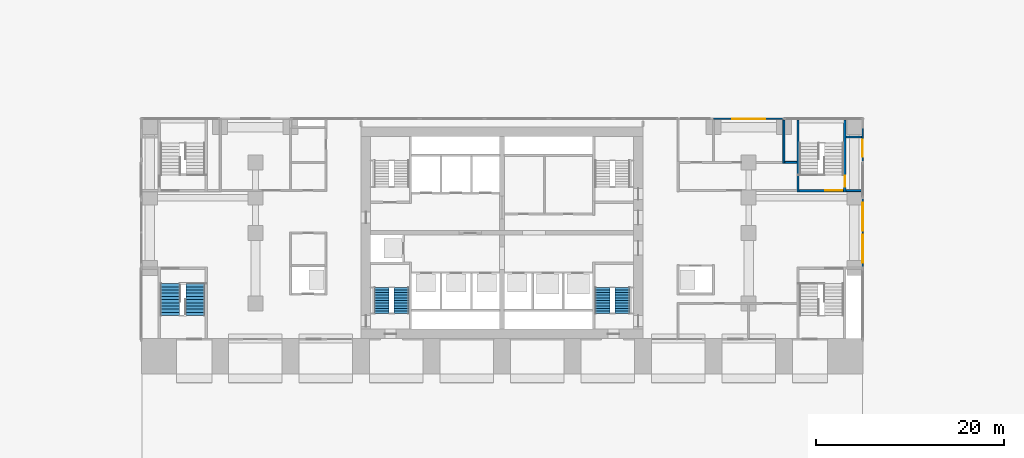
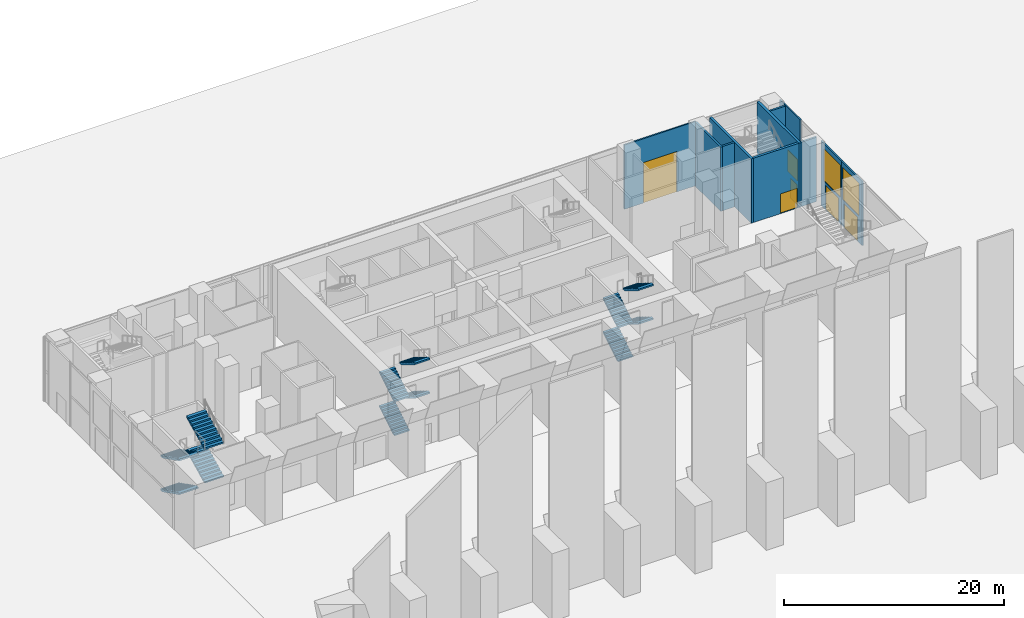
# One storey, part 15 of 21: 12 stair flights, 11 walls, 6 doors, 2 windows, 8 openings, 3 elements without a shape of their own.
"""IFC4 building model written with IfcOpenShell, lengths in metres."""

from ifc_helpers import new_model, si_unit, direction, frame, frame_2d, origin, place, context, subcontext, project, spatial, polyline, rectangle, outline, extrude, material, layer, layer_set, type_object, element, fill, aggregate, save


model = new_model("IFC4")

# Units and contexts
model_context = context("Model", 3, precision=1e-05, world=origin(), true_north=direction((0.0, 1.0)))
body_context = subcontext(model_context, "Body", "Model", "MODEL_VIEW")
ifc_project = project(units=[si_unit("LENGTHUNIT", "METRE"), si_unit("AREAUNIT", "SQUARE_METRE"), si_unit("VOLUMEUNIT", "CUBIC_METRE"), si_unit("PLANEANGLEUNIT", "RADIAN"), si_unit("MASSUNIT", "GRAM", prefix="KILO")], contexts=[model_context])

# Site, building, storey
site_placement = place(None, origin())
site = spatial("IfcSite", under=ifc_project, at=site_placement, CompositionType="ELEMENT")
building_placement = place(site_placement, origin())
building = spatial("IfcBuilding", under=site, at=building_placement, Name="Pilkhan Gate Tower", CompositionType="ELEMENT")
storey_placement = place(building_placement, origin())
storey = spatial("IfcBuildingStorey", under=building, at=storey_placement, Name="L00", CompositionType="ELEMENT", Elevation=0.0)

# Walls
ifc_material_1 = material(Name="Reinforced blockwork, 120 minute fire resisting", Category="masonry")
ifc_layer_1 = layer(ifc_material_1, 0.199951171875)
ifc_layer_set_1 = layer_set([ifc_layer_1], Name="Exit passage wall XW200")
wall_type_1 = type_object("IfcWallType", Name="Exit passage wall XW200", PredefinedType="PARTITIONING", material=ifc_layer_set_1)
for number, where, z_axis, x_axis, name in (
    (1, (111.625, 87.0, 0.0), (0.0, 0.0, 1.0), (1.0, 0.0, 0.0), "Partition L00"),
    (2, (111.625, 92.699951171875, 0.0), (0.0, 0.0, 1.0), (1.0, 0.0, 0.0), "Partition L00"),
):
    element("IfcWall", number, at=place(storey_placement, frame(where, z_axis=z_axis, x_axis=x_axis)), inside=storey, type_object=wall_type_1, Name=name, PredefinedType="PARTITIONING", context=body_context, shape_type="SweptSolid", body=[
        extrude(rectangle(XDim=1.639892578125, YDim=0.199951171875, at=frame_2d((0.81982421875, 0.0))), origin(), (0.0, 0.0, 1.0), 7.14990234375),
    ])

# Wall, openings, door, window
ifc_material_2 = material(Name="Pale anodised aluminium, clear laminated glazing", Category="aluminium")
ifc_layer_2 = layer(ifc_material_2, 0.14990234375)
ifc_layer_set_2 = layer_set([ifc_layer_2], Name="Facade infill wall IW150")
wall_type_2 = type_object("IfcWallType", Name="Facade infill wall IW150", PredefinedType="SOLIDWALL", material=ifc_layer_set_2)
wall_1_placement = place(storey_placement, frame((113.39501953125, 82.5, 0.0), z_axis=(0.0, 0.0, 1.0), x_axis=(0.0, -1.0, 0.0)))
wall_1 = element("IfcWall", 3, at=wall_1_placement, inside=storey, type_object=wall_type_2, Name="Infill wall L00 E", PredefinedType="SOLIDWALL", context=body_context, shape_type="SweptSolid", body=[
    extrude(rectangle(XDim=3.75, YDim=0.14990234375, at=frame_2d((1.875, 0.0))), origin(), (0.0, 0.0, 1.0), 7.14990234375),
])
opening_1_placement = place(wall_1_placement, frame((0.5, 0.0, 0.0)))
opening_1 = element("IfcOpeningElement", 4, at=opening_1_placement, cuts=wall_1, Name="Opening D6", PredefinedType="OPENING", context=body_context, shape_type="SweptSolid", body=[
    extrude(rectangle(XDim=2.39990234375, YDim=2.699951171875, at=frame_2d((1.199951171875, 1.35009765625))), frame((0.0, 0.0849609375, 0.0), z_axis=(0.0, -1.0, 0.0), x_axis=(1.0, 0.0, 0.0)), (0.0, 0.0, 1.0), 0.169921875),
])
opening_2_placement = place(wall_1_placement, frame((0.199951171875, 0.0, 3.0)))
opening_2 = element("IfcOpeningElement", 5, at=opening_2_placement, cuts=wall_1, Name="Opening W3", PredefinedType="OPENING", context=body_context, shape_type="SweptSolid", body=[
    extrude(rectangle(XDim=3.0, YDim=3.60009765625, at=frame_2d((1.5, 1.800048828125))), frame((0.0, 0.0849609375, 0.0), z_axis=(0.0, -1.0, 0.0), x_axis=(1.0, 0.0, 0.0)), (0.0, 0.0, 1.0), 0.169921875),
])
ifc_material_3 = material(Name="Pale anodised aluminium, clear glazing", Category="aluminium")
door_type_1 = type_object("IfcDoorType", Name="Entrance door D6 2400x2700", OperationType="DOUBLE_DOOR_SINGLE_SWING", PredefinedType="DOOR", material=ifc_material_3)
door_1_placement = place(opening_1_placement, origin())
door_1 = element("IfcDoor", 6, at=door_1_placement, inside=storey, type_object=door_type_1, Name="Registration east entrance", OperationType="DOUBLE_DOOR_SINGLE_SWING", OverallHeight=2.699951171875, OverallWidth=2.39990234375, PredefinedType="DOOR", context=body_context, shape_type="SweptSolid", body=[
    extrude(rectangle(XDim=2.39990234375, YDim=2.699951171875, at=frame_2d((1.199951171875, 1.35009765625))), frame((0.0, 0.02490234375, 0.0), z_axis=(0.0, -1.0, 0.0), x_axis=(1.0, 0.0, 0.0)), (0.0, 0.0, 1.0), 0.050048828125),
])
fill(opening_1, door_1)
window_type = type_object("IfcWindowType", Name="Window W3 3000x3600", PartitioningType="SINGLE_PANEL", PredefinedType="WINDOW", material=ifc_material_2)
window_1_placement = place(opening_2_placement, origin())
window_1 = element("IfcWindow", 7, at=window_1_placement, inside=storey, type_object=window_type, Name="Fanlight", OverallHeight=3.60009765625, OverallWidth=3.0, PartitioningType="SINGLE_PANEL", PredefinedType="WINDOW", context=body_context, shape_type="SweptSolid", body=[
    extrude(rectangle(XDim=3.0, YDim=3.60009765625, at=frame_2d((1.5, 1.800048828125))), frame((0.0, 0.030029296875, 0.0), z_axis=(0.0, -1.0, 0.0), x_axis=(1.0, 0.0, 0.0)), (0.0, 0.0, 1.0), 0.06005859375),
])
fill(opening_2, window_1)

wall_2_placement = place(storey_placement, frame((113.39501953125, 86.25, 0.0), z_axis=(0.0, 0.0, 1.0), x_axis=(0.0, -1.0, 0.0)))
wall_2 = element("IfcWall", 8, at=wall_2_placement, inside=storey, type_object=wall_type_2, Name="Infill wall L00 E", PredefinedType="SOLIDWALL", context=body_context, shape_type="SweptSolid", body=[
    extrude(rectangle(XDim=3.75, YDim=0.14990234375, at=frame_2d((1.875, 0.0))), origin(), (0.0, 0.0, 1.0), 7.14990234375),
])
opening_3_placement = place(wall_2_placement, frame((0.85009765625, 0.0, 0.0)))
opening_3 = element("IfcOpeningElement", 9, at=opening_3_placement, cuts=wall_2, Name="Opening D6", PredefinedType="OPENING", context=body_context, shape_type="SweptSolid", body=[
    extrude(rectangle(XDim=2.39990234375, YDim=2.699951171875, at=frame_2d((1.199951171875, 1.35009765625))), frame((0.0, 0.0849609375, 0.0), z_axis=(0.0, -1.0, 0.0), x_axis=(1.0, 0.0, 0.0)), (0.0, 0.0, 1.0), 0.169921875),
])
opening_4_placement = place(wall_2_placement, frame((0.550048828125, 0.0, 3.0)))
opening_4 = element("IfcOpeningElement", 10, at=opening_4_placement, cuts=wall_2, Name="Opening W3", PredefinedType="OPENING", context=body_context, shape_type="SweptSolid", body=[
    extrude(rectangle(XDim=3.0, YDim=3.60009765625, at=frame_2d((1.5, 1.800048828125))), frame((0.0, 0.0849609375, 0.0), z_axis=(0.0, -1.0, 0.0), x_axis=(1.0, 0.0, 0.0)), (0.0, 0.0, 1.0), 0.169921875),
])
door_2_placement = place(opening_3_placement, origin())
door_2 = element("IfcDoor", 11, at=door_2_placement, inside=storey, type_object=door_type_1, Name="Registration east exit", OperationType="DOUBLE_DOOR_SINGLE_SWING", OverallHeight=2.699951171875, OverallWidth=2.39990234375, PredefinedType="DOOR", context=body_context, shape_type="SweptSolid", body=[
    extrude(rectangle(XDim=2.39990234375, YDim=2.699951171875, at=frame_2d((1.199951171875, 1.35009765625))), frame((0.0, 0.02490234375, 0.0), z_axis=(0.0, -1.0, 0.0), x_axis=(1.0, 0.0, 0.0)), (0.0, 0.0, 1.0), 0.050048828125),
])
fill(opening_3, door_2)
window_2_placement = place(opening_4_placement, origin())
window_2 = element("IfcWindow", 12, at=window_2_placement, inside=storey, type_object=window_type, Name="Fanlight", OverallHeight=3.60009765625, OverallWidth=3.0, PartitioningType="SINGLE_PANEL", PredefinedType="WINDOW", context=body_context, shape_type="SweptSolid", body=[
    extrude(rectangle(XDim=3.0, YDim=3.60009765625, at=frame_2d((1.5, 1.800048828125))), frame((0.0, 0.030029296875, 0.0), z_axis=(0.0, -1.0, 0.0), x_axis=(1.0, 0.0, 0.0)), (0.0, 0.0, 1.0), 0.06005859375),
])
fill(opening_4, window_2)

# Wall, opening, door
wall_3_placement = place(storey_placement, frame((113.39501953125, 93.75, 0.0), z_axis=(0.0, 0.0, 1.0), x_axis=(0.0, -1.0, 0.0)))
wall_3 = element("IfcWall", 13, at=wall_3_placement, inside=storey, type_object=wall_type_2, Name="Infill wall L00 E", PredefinedType="SOLIDWALL", context=body_context, shape_type="SweptSolid", body=[
    extrude(rectangle(XDim=3.75, YDim=0.14990234375, at=frame_2d((1.875, 0.0))), origin(), (0.0, 0.0, 1.0), 7.14990234375),
])
opening_5_placement = place(wall_3_placement, frame((1.35009765625, 0.0, 0.0)))
opening_5 = element("IfcOpeningElement", 14, at=opening_5_placement, cuts=wall_3, Name="Opening D3", PredefinedType="OPENING", context=body_context, shape_type="SweptSolid", body=[
    extrude(rectangle(XDim=1.800048828125, YDim=2.39990234375, at=frame_2d((0.89990234375, 1.199951171875))), frame((0.0, 0.0849609375, 0.0), z_axis=(0.0, -1.0, 0.0), x_axis=(1.0, 0.0, 0.0)), (0.0, 0.0, 1.0), 0.169921875),
])
ifc_material_4 = material(Name="Steel door, powder coated pale grey", Category="steel")
door_type_2 = type_object("IfcDoorType", Name="Exit door D3 1800x2400", OperationType="DOUBLE_DOOR_SINGLE_SWING", PredefinedType="DOOR", material=ifc_material_4)
door_3_placement = place(opening_5_placement, origin())
door_3 = element("IfcDoor", 15, at=door_3_placement, inside=storey, type_object=door_type_2, Name="Stair PS2 exit door", OperationType="DOUBLE_DOOR_SINGLE_SWING", OverallHeight=2.39990234375, OverallWidth=1.800048828125, PredefinedType="DOOR", context=body_context, shape_type="SweptSolid", body=[
    extrude(rectangle(XDim=1.800048828125, YDim=2.39990234375, at=frame_2d((0.89990234375, 1.199951171875))), frame((0.0, 0.02490234375, 0.0), z_axis=(0.0, -1.0, 0.0), x_axis=(1.0, 0.0, 0.0)), (0.0, 0.0, 1.0), 0.050048828125),
])
fill(opening_5, door_3)

wall_4_placement = place(storey_placement, frame((97.5, 94.64501953125, 0.0), z_axis=(0.0, 0.0, 1.0), x_axis=(1.0, 0.0, 0.0)))
wall_4 = element("IfcWall", 16, at=wall_4_placement, inside=storey, type_object=wall_type_2, Name="Infill wall L00 N", PredefinedType="SOLIDWALL", context=body_context, shape_type="SweptSolid", body=[
    extrude(rectangle(XDim=7.5, YDim=0.14990234375, at=frame_2d((3.75, 0.0))), origin(), (0.0, 0.0, 1.0), 7.14990234375),
])
opening_6_placement = place(wall_4_placement, frame((2.0, 0.0, 0.0)))
opening_6 = element("IfcOpeningElement", 17, at=opening_6_placement, cuts=wall_4, Name="Opening D4", PredefinedType="OPENING", context=body_context, shape_type="SweptSolid", body=[
    extrude(rectangle(XDim=3.5, YDim=4.5, at=frame_2d((1.75, 2.25))), frame((0.0, 0.0849609375, 0.0), z_axis=(0.0, -1.0, 0.0), x_axis=(1.0, 0.0, 0.0)), (0.0, 0.0, 1.0), 0.169921875),
])
ifc_material_5 = material(Name="Galvanised steel roller shutter, powder coated", Category="steel")
door_type_3 = type_object("IfcDoorType", Name="Loading shutter D4 3500x4500", OperationType="ROLLINGUP", PredefinedType="DOOR", material=ifc_material_5)
door_4_placement = place(opening_6_placement, origin())
door_4 = element("IfcDoor", 18, at=door_4_placement, inside=storey, type_object=door_type_3, Name="Loading dock shutter", OperationType="ROLLINGUP", OverallHeight=4.5, OverallWidth=3.5, PredefinedType="DOOR", context=body_context, shape_type="SweptSolid", body=[
    extrude(rectangle(XDim=3.5, YDim=4.5, at=frame_2d((1.75, 2.25))), frame((0.0, 0.02490234375, 0.0), z_axis=(0.0, -1.0, 0.0), x_axis=(1.0, 0.0, 0.0)), (0.0, 0.0, 1.0), 0.050048828125),
])
fill(opening_6, door_4)

# Walls
ifc_material_6 = material(Name="Dense blockwork", Category="masonry")
ifc_layer_3 = layer(ifc_material_6, 0.199951171875)
ifc_layer_set_3 = layer_set([ifc_layer_3], Name="Lobby wall LW200")
wall_type_3 = type_object("IfcWallType", Name="Lobby wall LW200", PredefinedType="PARTITIONING", material=ifc_layer_set_3)
wall_5_placement = place(storey_placement, frame((105.10009765625, 90.0, 0.0), z_axis=(0.0, 0.0, 1.0), x_axis=(1.0, 0.0, 0.0)))
element("IfcWall", 19, at=wall_5_placement, inside=storey, type_object=wall_type_3, Name="Partition L00", PredefinedType="PARTITIONING", context=body_context, shape_type="SweptSolid", body=[
    extrude(rectangle(XDim=1.27490234375, YDim=0.199951171875, at=frame_2d((0.637451171875, 0.0))), origin(), (0.0, 0.0, 1.0), 7.14990234375),
])
wall_6_placement = place(storey_placement, frame((105.0, 89.89990234375, 0.0), z_axis=(0.0, 0.0, 1.0), x_axis=(0.0, 1.0, 0.0)))
element("IfcWall", 20, at=wall_6_placement, inside=storey, type_object=wall_type_3, Name="Partition L00", PredefinedType="PARTITIONING", context=body_context, shape_type="SweptSolid", body=[
    extrude(rectangle(XDim=4.614990234375, YDim=0.199951171875, at=frame_2d((2.3076171875, 0.0))), origin(), (0.0, 0.0, 1.0), 7.14990234375),
])

# Wall, opening, door
ifc_layer_4 = layer(ifc_material_1, 0.25)
ifc_layer_set_4 = layer_set([ifc_layer_4], Name="Stair enclosure wall SE250")
wall_type_4 = type_object("IfcWallType", Name="Stair enclosure wall SE250", PredefinedType="PARTITIONING", material=ifc_layer_set_4)
wall_7_placement = place(storey_placement, frame((106.625, 87.0, 0.0), z_axis=(0.0, 0.0, 1.0), x_axis=(1.0, 0.0, 0.0)))
wall_7 = element("IfcWall", 21, at=wall_7_placement, inside=storey, type_object=wall_type_4, Name="Partition L00", PredefinedType="PARTITIONING", context=body_context, shape_type="SweptSolid", body=[
    extrude(rectangle(XDim=4.75, YDim=0.25, at=frame_2d((2.375, 0.0))), origin(), (0.0, 0.0, 1.0), 7.14990234375),
])
opening_7_placement = place(wall_7_placement, frame((2.800048828125, 0.0, 0.0)))
opening_7 = element("IfcOpeningElement", 22, at=opening_7_placement, cuts=wall_7, Name="Opening L00-09", PredefinedType="OPENING", context=body_context, shape_type="SweptSolid", body=[
    extrude(rectangle(XDim=1.800048828125, YDim=2.199951171875, at=frame_2d((0.89990234375, 1.10009765625))), frame((0.0, 0.135009765625, 0.0), z_axis=(0.0, -1.0, 0.0), x_axis=(1.0, 0.0, 0.0)), (0.0, 0.0, 1.0), 0.27001953125),
])
ifc_material_7 = material(Name="Steel double door, 120 minute fire resisting, panic bar", Category="steel")
door_type_4 = type_object("IfcDoorType", Name="Stair door D14 1800x2200", OperationType="DOUBLE_DOOR_SINGLE_SWING", PredefinedType="DOOR", material=ifc_material_7)
door_5_placement = place(opening_7_placement, origin())
door_5 = element("IfcDoor", 23, at=door_5_placement, inside=storey, type_object=door_type_4, Name="Stair PS2 door", OperationType="DOUBLE_DOOR_SINGLE_SWING", OverallHeight=2.199951171875, OverallWidth=1.800048828125, PredefinedType="DOOR", context=body_context, shape_type="SweptSolid", body=[
    extrude(rectangle(XDim=1.800048828125, YDim=2.199951171875, at=frame_2d((0.89990234375, 1.10009765625))), frame((0.0, 0.02490234375, 0.0), z_axis=(0.0, -1.0, 0.0), x_axis=(1.0, 0.0, 0.0)), (0.0, 0.0, 1.0), 0.050048828125),
])
fill(opening_7, door_5)

# Wall
wall_8_placement = place(storey_placement, frame((106.5, 86.875, 0.0), z_axis=(0.0, 0.0, 1.0), x_axis=(0.0, 1.0, 0.0)))
element("IfcWall", 24, at=wall_8_placement, inside=storey, type_object=wall_type_4, Name="Partition L00", PredefinedType="PARTITIONING", context=body_context, shape_type="SweptSolid", body=[
    extrude(rectangle(XDim=7.625, YDim=0.25, at=frame_2d((3.8125, 0.0))), origin(), (0.0, 0.0, 1.0), 7.14990234375),
])

# Wall, opening, door
wall_9_placement = place(storey_placement, frame((111.5, 86.875, 0.0), z_axis=(0.0, 0.0, 1.0), x_axis=(0.0, 1.0, 0.0)))
wall_9 = element("IfcWall", 25, at=wall_9_placement, inside=storey, type_object=wall_type_4, Name="Partition L00", PredefinedType="PARTITIONING", context=body_context, shape_type="SweptSolid", body=[
    extrude(rectangle(XDim=7.625, YDim=0.25, at=frame_2d((3.8125, 0.0))), origin(), (0.0, 0.0, 1.0), 7.14990234375),
])
opening_8_placement = place(wall_9_placement, frame((0.52490234375, 0.0, 0.0)))
opening_8 = element("IfcOpeningElement", 26, at=opening_8_placement, cuts=wall_9, Name="Opening L00-13", PredefinedType="OPENING", context=body_context, shape_type="SweptSolid", body=[
    extrude(rectangle(XDim=1.199951171875, YDim=2.199951171875, at=frame_2d((0.60009765625, 1.10009765625))), frame((0.0, 0.135009765625, 0.0), z_axis=(0.0, -1.0, 0.0), x_axis=(1.0, 0.0, 0.0)), (0.0, 0.0, 1.0), 0.27001953125),
])
ifc_material_8 = material(Name="Steel door, 120 minute fire resisting, panic bar", Category="steel")
door_type_5 = type_object("IfcDoorType", Name="Stair door D11 1200x2200", OperationType="SINGLE_SWING_LEFT", PredefinedType="DOOR", material=ifc_material_8)
door_6_placement = place(opening_8_placement, origin())
door_6 = element("IfcDoor", 27, at=door_6_placement, inside=storey, type_object=door_type_5, Name="Stair PS2 passage door", OperationType="SINGLE_SWING_LEFT", OverallHeight=2.199951171875, OverallWidth=1.199951171875, PredefinedType="DOOR", context=body_context, shape_type="SweptSolid", body=[
    extrude(rectangle(XDim=1.199951171875, YDim=2.199951171875, at=frame_2d((0.60009765625, 1.10009765625))), frame((0.0, 0.02490234375, 0.0), z_axis=(0.0, -1.0, 0.0), x_axis=(1.0, 0.0, 0.0)), (0.0, 0.0, 1.0), 0.050048828125),
])
fill(opening_8, door_6)

# Stair, stair flights
ifc_material_9 = material(Name="Concrete C40/50 precast", Category="concrete")
stair_type_1 = type_object("IfcStairType", Name="Stair PS3 170x340", PredefinedType="HALF_TURN_STAIR", material=ifc_material_9)
stair_1_placement = place(storey_placement, origin())
stair_1 = element("IfcStair", 28, at=stair_1_placement, inside=storey, type_object=stair_type_1, Name="Stair PS3 L00", PredefinedType="HALF_TURN_STAIR")
stair_flight_type_1 = type_object("IfcStairFlightType", Name="Stair flight PS3 170x340x11", PredefinedType="STRAIGHT", material=ifc_material_9)
stair_flight_1_placement = place(storey_placement, frame((39.64990234375, 77.10009765625, 0.0), z_axis=(0.0, 0.0, 1.0), x_axis=(0.0, -1.0, 0.0)))
stair_flight_1 = element("IfcStairFlight", 29, at=stair_flight_1_placement, type_object=stair_flight_type_1, Name="PS3 flight 1", NumberOfRisers=11, NumberOfTreads=10, PredefinedType="STRAIGHT", RiserHeight=0.170454545, TreadLength=0.34, context=body_context, shape_type="SweptSolid", body=[
    extrude(outline(polyline([(0.0, 0.0), (0.0, 0.17041015625), (0.340087890625, 0.17041015625), (0.340087890625, 0.3408203125), (0.679931640625, 0.3408203125), (0.679931640625, 0.511474609375), (1.02001953125, 0.511474609375), (1.02001953125, 0.681884765625), (1.360107421875, 0.681884765625), (1.360107421875, 0.852294921875), (1.699951171875, 0.852294921875), (1.699951171875, 1.022705078125), (2.0400390625, 1.022705078125), (2.0400390625, 1.193115234375), (2.3798828125, 1.193115234375), (2.3798828125, 1.363525390625), (2.719970703125, 1.363525390625), (2.719970703125, 1.5341796875), (3.06005859375, 1.5341796875), (3.06005859375, 1.70458984375), (3.39990234375, 1.70458984375), (3.39990234375, 1.875), (3.39990234375, 1.536865234375), (0.33447265625, 0.0), (0.0, 0.0)])), frame((0.0, 1.0, 0.0), z_axis=(0.0, -1.0, 0.0), x_axis=(1.0, 0.0, 0.0)), (0.0, 0.0, 1.0), 2.0),
])
stair_flight_2_placement = place(storey_placement, frame((42.35009765625, 73.699951171875, 1.875), z_axis=(0.0, 0.0, 1.0), x_axis=(0.0, 1.0, 0.0)))
stair_flight_2 = element("IfcStairFlight", 30, at=stair_flight_2_placement, type_object=stair_flight_type_1, Name="PS3 flight 2", NumberOfRisers=11, NumberOfTreads=10, PredefinedType="STRAIGHT", RiserHeight=0.170454545, TreadLength=0.34, context=body_context, shape_type="SweptSolid", body=[
    extrude(outline(polyline([(0.0, 0.0), (0.0, 0.17041015625), (0.340087890625, 0.17041015625), (0.340087890625, 0.3408203125), (0.679931640625, 0.3408203125), (0.679931640625, 0.511474609375), (1.02001953125, 0.511474609375), (1.02001953125, 0.681884765625), (1.360107421875, 0.681884765625), (1.360107421875, 0.852294921875), (1.699951171875, 0.852294921875), (1.699951171875, 1.022705078125), (2.0400390625, 1.022705078125), (2.0400390625, 1.193115234375), (2.3798828125, 1.193115234375), (2.3798828125, 1.363525390625), (2.719970703125, 1.363525390625), (2.719970703125, 1.5341796875), (3.06005859375, 1.5341796875), (3.06005859375, 1.70458984375), (3.39990234375, 1.70458984375), (3.39990234375, 1.875), (3.39990234375, 1.536865234375), (0.33447265625, 0.0), (0.0, 0.0)])), frame((0.0, 1.0, 0.0), z_axis=(0.0, -1.0, 0.0), x_axis=(1.0, 0.0, 0.0)), (0.0, 0.0, 1.0), 2.0),
])
stair_flight_3_placement = place(storey_placement, frame((39.64990234375, 77.10009765625, 3.75), z_axis=(0.0, 0.0, 1.0), x_axis=(0.0, -1.0, 0.0)))
stair_flight_3 = element("IfcStairFlight", 31, at=stair_flight_3_placement, type_object=stair_flight_type_1, Name="PS3 flight 3", NumberOfRisers=11, NumberOfTreads=10, PredefinedType="STRAIGHT", RiserHeight=0.170454545, TreadLength=0.34, context=body_context, shape_type="SweptSolid", body=[
    extrude(outline(polyline([(0.0, 0.0), (0.0, 0.17041015625), (0.340087890625, 0.17041015625), (0.340087890625, 0.3408203125), (0.679931640625, 0.3408203125), (0.679931640625, 0.511474609375), (1.02001953125, 0.511474609375), (1.02001953125, 0.681884765625), (1.360107421875, 0.681884765625), (1.360107421875, 0.852294921875), (1.699951171875, 0.852294921875), (1.699951171875, 1.022705078125), (2.0400390625, 1.022705078125), (2.0400390625, 1.193115234375), (2.3798828125, 1.193115234375), (2.3798828125, 1.363525390625), (2.719970703125, 1.363525390625), (2.719970703125, 1.5341796875), (3.06005859375, 1.5341796875), (3.06005859375, 1.70458984375), (3.39990234375, 1.70458984375), (3.39990234375, 1.875), (3.39990234375, 1.536865234375), (0.33447265625, 0.0), (0.0, 0.0)])), frame((0.0, 1.0, 0.0), z_axis=(0.0, -1.0, 0.0), x_axis=(1.0, 0.0, 0.0)), (0.0, 0.0, 1.0), 2.0),
])
stair_flight_4_placement = place(storey_placement, frame((42.35009765625, 73.699951171875, 5.625), z_axis=(0.0, 0.0, 1.0), x_axis=(0.0, 1.0, 0.0)))
stair_flight_4 = element("IfcStairFlight", 32, at=stair_flight_4_placement, type_object=stair_flight_type_1, Name="PS3 flight 4", NumberOfRisers=11, NumberOfTreads=10, PredefinedType="STRAIGHT", RiserHeight=0.170454545, TreadLength=0.34, context=body_context, shape_type="SweptSolid", body=[
    extrude(outline(polyline([(0.0, 0.0), (0.0, 0.17041015625), (0.340087890625, 0.17041015625), (0.340087890625, 0.3408203125), (0.679931640625, 0.3408203125), (0.679931640625, 0.511474609375), (1.02001953125, 0.511474609375), (1.02001953125, 0.681884765625), (1.360107421875, 0.681884765625), (1.360107421875, 0.852294921875), (1.699951171875, 0.852294921875), (1.699951171875, 1.022705078125), (2.0400390625, 1.022705078125), (2.0400390625, 1.193115234375), (2.3798828125, 1.193115234375), (2.3798828125, 1.363525390625), (2.719970703125, 1.363525390625), (2.719970703125, 1.5341796875), (3.06005859375, 1.5341796875), (3.06005859375, 1.70458984375), (3.39990234375, 1.70458984375), (3.39990234375, 1.875), (3.39990234375, 1.536865234375), (0.33447265625, 0.0), (0.0, 0.0)])), frame((0.0, 1.0, 0.0), z_axis=(0.0, -1.0, 0.0), x_axis=(1.0, 0.0, 0.0)), (0.0, 0.0, 1.0), 2.0),
])
aggregate(stair_1, [stair_flight_1, stair_flight_2, stair_flight_3, stair_flight_4])

stair_type_2 = type_object("IfcStairType", Name="Stair ST1 170x280", PredefinedType="HALF_TURN_STAIR", material=ifc_material_9)
stair_2_placement = place(storey_placement, origin())
stair_2 = element("IfcStair", 33, at=stair_2_placement, inside=storey, type_object=stair_type_2, Name="Stair ST1 L00", PredefinedType="HALF_TURN_STAIR")
stair_flight_type_2 = type_object("IfcStairFlightType", Name="Stair flight ST1 170x280x11", PredefinedType="STRAIGHT", material=ifc_material_9)
stair_flight_5_placement = place(storey_placement, frame((85.68994140625, 73.89990234375, 0.0), z_axis=(0.0, 0.0, 1.0), x_axis=(0.0, 1.0, 0.0)))
stair_flight_5 = element("IfcStairFlight", 34, at=stair_flight_5_placement, type_object=stair_flight_type_2, Name="ST1 flight 1", NumberOfRisers=11, NumberOfTreads=10, PredefinedType="STRAIGHT", RiserHeight=0.170454545, TreadLength=0.28, context=body_context, shape_type="SweptSolid", body=[
    extrude(outline(polyline([(0.0, 0.0), (0.0, 0.17041015625), (0.280029296875, 0.17041015625), (0.280029296875, 0.3408203125), (0.56005859375, 0.3408203125), (0.56005859375, 0.511474609375), (0.840087890625, 0.511474609375), (0.840087890625, 0.681884765625), (1.1201171875, 0.681884765625), (1.1201171875, 0.852294921875), (1.39990234375, 0.852294921875), (1.39990234375, 1.022705078125), (1.679931640625, 1.022705078125), (1.679931640625, 1.193115234375), (1.9599609375, 1.193115234375), (1.9599609375, 1.363525390625), (2.239990234375, 1.363525390625), (2.239990234375, 1.5341796875), (2.52001953125, 1.5341796875), (2.52001953125, 1.70458984375), (2.800048828125, 1.70458984375), (2.800048828125, 1.875), (2.800048828125, 1.529052734375), (0.288330078125, 0.0), (0.0, 0.0)])), frame((0.0, 0.7900390625, 0.0), z_axis=(0.0, -1.0, 0.0), x_axis=(1.0, 0.0, 0.0)), (0.0, 0.0, 1.0), 1.580078125),
])
stair_flight_6_placement = place(storey_placement, frame((87.81005859375, 76.699951171875, 1.875), z_axis=(0.0, 0.0, 1.0), x_axis=(0.0, -1.0, 0.0)))
stair_flight_6 = element("IfcStairFlight", 35, at=stair_flight_6_placement, type_object=stair_flight_type_2, Name="ST1 flight 2", NumberOfRisers=11, NumberOfTreads=10, PredefinedType="STRAIGHT", RiserHeight=0.170454545, TreadLength=0.28, context=body_context, shape_type="SweptSolid", body=[
    extrude(outline(polyline([(0.0, 0.0), (0.0, 0.17041015625), (0.280029296875, 0.17041015625), (0.280029296875, 0.3408203125), (0.56005859375, 0.3408203125), (0.56005859375, 0.511474609375), (0.840087890625, 0.511474609375), (0.840087890625, 0.681884765625), (1.1201171875, 0.681884765625), (1.1201171875, 0.852294921875), (1.39990234375, 0.852294921875), (1.39990234375, 1.022705078125), (1.679931640625, 1.022705078125), (1.679931640625, 1.193115234375), (1.9599609375, 1.193115234375), (1.9599609375, 1.363525390625), (2.239990234375, 1.363525390625), (2.239990234375, 1.5341796875), (2.52001953125, 1.5341796875), (2.52001953125, 1.70458984375), (2.800048828125, 1.70458984375), (2.800048828125, 1.875), (2.800048828125, 1.529052734375), (0.288330078125, 0.0), (0.0, 0.0)])), frame((0.0, 0.7900390625, 0.0), z_axis=(0.0, -1.0, 0.0), x_axis=(1.0, 0.0, 0.0)), (0.0, 0.0, 1.0), 1.580078125),
])
stair_flight_7_placement = place(storey_placement, frame((85.68994140625, 73.89990234375, 3.75), z_axis=(0.0, 0.0, 1.0), x_axis=(0.0, 1.0, 0.0)))
stair_flight_7 = element("IfcStairFlight", 36, at=stair_flight_7_placement, type_object=stair_flight_type_2, Name="ST1 flight 3", NumberOfRisers=11, NumberOfTreads=10, PredefinedType="STRAIGHT", RiserHeight=0.170454545, TreadLength=0.28, context=body_context, shape_type="SweptSolid", body=[
    extrude(outline(polyline([(0.0, 0.0), (0.0, 0.17041015625), (0.280029296875, 0.17041015625), (0.280029296875, 0.3408203125), (0.56005859375, 0.3408203125), (0.56005859375, 0.511474609375), (0.840087890625, 0.511474609375), (0.840087890625, 0.681884765625), (1.1201171875, 0.681884765625), (1.1201171875, 0.852294921875), (1.39990234375, 0.852294921875), (1.39990234375, 1.022705078125), (1.679931640625, 1.022705078125), (1.679931640625, 1.193115234375), (1.9599609375, 1.193115234375), (1.9599609375, 1.363525390625), (2.239990234375, 1.363525390625), (2.239990234375, 1.5341796875), (2.52001953125, 1.5341796875), (2.52001953125, 1.70458984375), (2.800048828125, 1.70458984375), (2.800048828125, 1.875), (2.800048828125, 1.529052734375), (0.288330078125, 0.0), (0.0, 0.0)])), frame((0.0, 0.7900390625, 0.0), z_axis=(0.0, -1.0, 0.0), x_axis=(1.0, 0.0, 0.0)), (0.0, 0.0, 1.0), 1.580078125),
])
stair_flight_8_placement = place(storey_placement, frame((87.81005859375, 76.699951171875, 5.625), z_axis=(0.0, 0.0, 1.0), x_axis=(0.0, -1.0, 0.0)))
stair_flight_8 = element("IfcStairFlight", 37, at=stair_flight_8_placement, type_object=stair_flight_type_2, Name="ST1 flight 4", NumberOfRisers=11, NumberOfTreads=10, PredefinedType="STRAIGHT", RiserHeight=0.170454545, TreadLength=0.28, context=body_context, shape_type="SweptSolid", body=[
    extrude(outline(polyline([(0.0, 0.0), (0.0, 0.17041015625), (0.280029296875, 0.17041015625), (0.280029296875, 0.3408203125), (0.56005859375, 0.3408203125), (0.56005859375, 0.511474609375), (0.840087890625, 0.511474609375), (0.840087890625, 0.681884765625), (1.1201171875, 0.681884765625), (1.1201171875, 0.852294921875), (1.39990234375, 0.852294921875), (1.39990234375, 1.022705078125), (1.679931640625, 1.022705078125), (1.679931640625, 1.193115234375), (1.9599609375, 1.193115234375), (1.9599609375, 1.363525390625), (2.239990234375, 1.363525390625), (2.239990234375, 1.5341796875), (2.52001953125, 1.5341796875), (2.52001953125, 1.70458984375), (2.800048828125, 1.70458984375), (2.800048828125, 1.875), (2.800048828125, 1.529052734375), (0.288330078125, 0.0), (0.0, 0.0)])), frame((0.0, 0.7900390625, 0.0), z_axis=(0.0, -1.0, 0.0), x_axis=(1.0, 0.0, 0.0)), (0.0, 0.0, 1.0), 1.580078125),
])
aggregate(stair_2, [stair_flight_5, stair_flight_6, stair_flight_7, stair_flight_8])

stair_type_3 = type_object("IfcStairType", Name="Stair ST2 170x280", PredefinedType="HALF_TURN_STAIR", material=ifc_material_9)
stair_3_placement = place(storey_placement, origin())
stair_3 = element("IfcStair", 38, at=stair_3_placement, inside=storey, type_object=stair_type_3, Name="Stair ST2 L00", PredefinedType="HALF_TURN_STAIR")
stair_flight_type_3 = type_object("IfcStairFlightType", Name="Stair flight ST2 170x280x11", PredefinedType="STRAIGHT", material=ifc_material_9)
stair_flight_9_placement = place(storey_placement, frame((62.18994140625, 73.89990234375, 0.0), z_axis=(0.0, 0.0, 1.0), x_axis=(0.0, 1.0, 0.0)))
stair_flight_9 = element("IfcStairFlight", 39, at=stair_flight_9_placement, type_object=stair_flight_type_3, Name="ST2 flight 1", NumberOfRisers=11, NumberOfTreads=10, PredefinedType="STRAIGHT", RiserHeight=0.170454545, TreadLength=0.28, context=body_context, shape_type="SweptSolid", body=[
    extrude(outline(polyline([(0.0, 0.0), (0.0, 0.17041015625), (0.280029296875, 0.17041015625), (0.280029296875, 0.3408203125), (0.56005859375, 0.3408203125), (0.56005859375, 0.511474609375), (0.840087890625, 0.511474609375), (0.840087890625, 0.681884765625), (1.1201171875, 0.681884765625), (1.1201171875, 0.852294921875), (1.39990234375, 0.852294921875), (1.39990234375, 1.022705078125), (1.679931640625, 1.022705078125), (1.679931640625, 1.193115234375), (1.9599609375, 1.193115234375), (1.9599609375, 1.363525390625), (2.239990234375, 1.363525390625), (2.239990234375, 1.5341796875), (2.52001953125, 1.5341796875), (2.52001953125, 1.70458984375), (2.800048828125, 1.70458984375), (2.800048828125, 1.875), (2.800048828125, 1.529052734375), (0.288330078125, 0.0), (0.0, 0.0)])), frame((0.0, 0.7900390625, 0.0), z_axis=(0.0, -1.0, 0.0), x_axis=(1.0, 0.0, 0.0)), (0.0, 0.0, 1.0), 1.580078125),
])
stair_flight_10_placement = place(storey_placement, frame((64.31005859375, 76.699951171875, 1.875), z_axis=(0.0, 0.0, 1.0), x_axis=(0.0, -1.0, 0.0)))
stair_flight_10 = element("IfcStairFlight", 40, at=stair_flight_10_placement, type_object=stair_flight_type_3, Name="ST2 flight 2", NumberOfRisers=11, NumberOfTreads=10, PredefinedType="STRAIGHT", RiserHeight=0.170454545, TreadLength=0.28, context=body_context, shape_type="SweptSolid", body=[
    extrude(outline(polyline([(0.0, 0.0), (0.0, 0.17041015625), (0.280029296875, 0.17041015625), (0.280029296875, 0.3408203125), (0.56005859375, 0.3408203125), (0.56005859375, 0.511474609375), (0.840087890625, 0.511474609375), (0.840087890625, 0.681884765625), (1.1201171875, 0.681884765625), (1.1201171875, 0.852294921875), (1.39990234375, 0.852294921875), (1.39990234375, 1.022705078125), (1.679931640625, 1.022705078125), (1.679931640625, 1.193115234375), (1.9599609375, 1.193115234375), (1.9599609375, 1.363525390625), (2.239990234375, 1.363525390625), (2.239990234375, 1.5341796875), (2.52001953125, 1.5341796875), (2.52001953125, 1.70458984375), (2.800048828125, 1.70458984375), (2.800048828125, 1.875), (2.800048828125, 1.529052734375), (0.288330078125, 0.0), (0.0, 0.0)])), frame((0.0, 0.7900390625, 0.0), z_axis=(0.0, -1.0, 0.0), x_axis=(1.0, 0.0, 0.0)), (0.0, 0.0, 1.0), 1.580078125),
])
stair_flight_11_placement = place(storey_placement, frame((62.18994140625, 73.89990234375, 3.75), z_axis=(0.0, 0.0, 1.0), x_axis=(0.0, 1.0, 0.0)))
stair_flight_11 = element("IfcStairFlight", 41, at=stair_flight_11_placement, type_object=stair_flight_type_3, Name="ST2 flight 3", NumberOfRisers=11, NumberOfTreads=10, PredefinedType="STRAIGHT", RiserHeight=0.170454545, TreadLength=0.28, context=body_context, shape_type="SweptSolid", body=[
    extrude(outline(polyline([(0.0, 0.0), (0.0, 0.17041015625), (0.280029296875, 0.17041015625), (0.280029296875, 0.3408203125), (0.56005859375, 0.3408203125), (0.56005859375, 0.511474609375), (0.840087890625, 0.511474609375), (0.840087890625, 0.681884765625), (1.1201171875, 0.681884765625), (1.1201171875, 0.852294921875), (1.39990234375, 0.852294921875), (1.39990234375, 1.022705078125), (1.679931640625, 1.022705078125), (1.679931640625, 1.193115234375), (1.9599609375, 1.193115234375), (1.9599609375, 1.363525390625), (2.239990234375, 1.363525390625), (2.239990234375, 1.5341796875), (2.52001953125, 1.5341796875), (2.52001953125, 1.70458984375), (2.800048828125, 1.70458984375), (2.800048828125, 1.875), (2.800048828125, 1.529052734375), (0.288330078125, 0.0), (0.0, 0.0)])), frame((0.0, 0.7900390625, 0.0), z_axis=(0.0, -1.0, 0.0), x_axis=(1.0, 0.0, 0.0)), (0.0, 0.0, 1.0), 1.580078125),
])
stair_flight_12_placement = place(storey_placement, frame((64.31005859375, 76.699951171875, 5.625), z_axis=(0.0, 0.0, 1.0), x_axis=(0.0, -1.0, 0.0)))
stair_flight_12 = element("IfcStairFlight", 42, at=stair_flight_12_placement, type_object=stair_flight_type_3, Name="ST2 flight 4", NumberOfRisers=11, NumberOfTreads=10, PredefinedType="STRAIGHT", RiserHeight=0.170454545, TreadLength=0.28, context=body_context, shape_type="SweptSolid", body=[
    extrude(outline(polyline([(0.0, 0.0), (0.0, 0.17041015625), (0.280029296875, 0.17041015625), (0.280029296875, 0.3408203125), (0.56005859375, 0.3408203125), (0.56005859375, 0.511474609375), (0.840087890625, 0.511474609375), (0.840087890625, 0.681884765625), (1.1201171875, 0.681884765625), (1.1201171875, 0.852294921875), (1.39990234375, 0.852294921875), (1.39990234375, 1.022705078125), (1.679931640625, 1.022705078125), (1.679931640625, 1.193115234375), (1.9599609375, 1.193115234375), (1.9599609375, 1.363525390625), (2.239990234375, 1.363525390625), (2.239990234375, 1.5341796875), (2.52001953125, 1.5341796875), (2.52001953125, 1.70458984375), (2.800048828125, 1.70458984375), (2.800048828125, 1.875), (2.800048828125, 1.529052734375), (0.288330078125, 0.0), (0.0, 0.0)])), frame((0.0, 0.7900390625, 0.0), z_axis=(0.0, -1.0, 0.0), x_axis=(1.0, 0.0, 0.0)), (0.0, 0.0, 1.0), 1.580078125),
])
aggregate(stair_3, [stair_flight_9, stair_flight_10, stair_flight_11, stair_flight_12])

save(model, "model.ifc")
